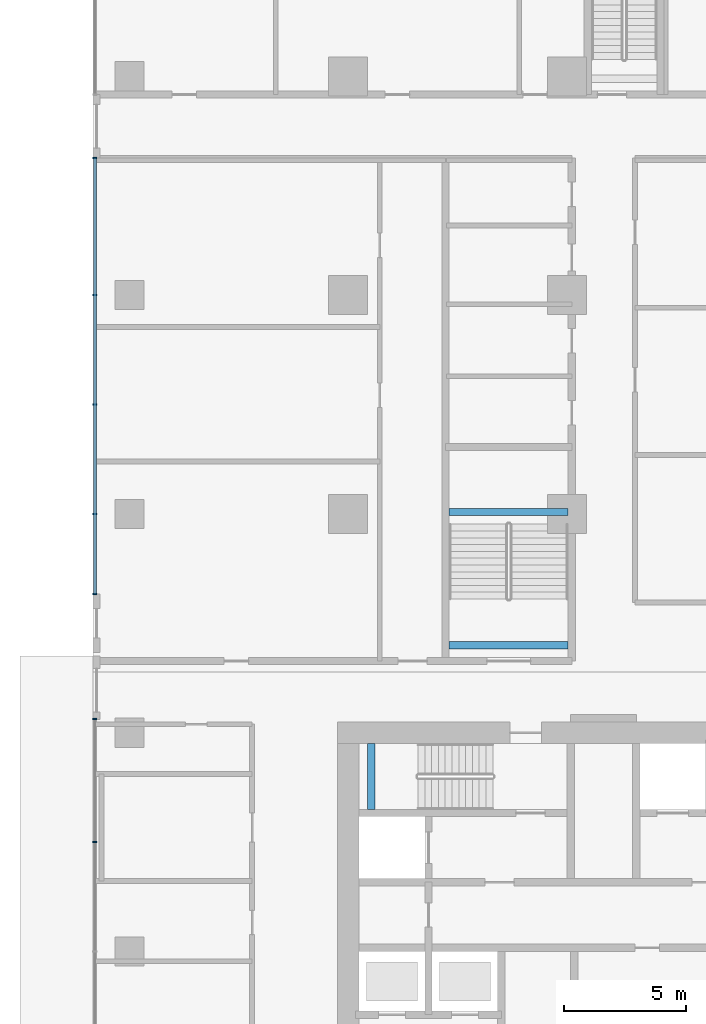
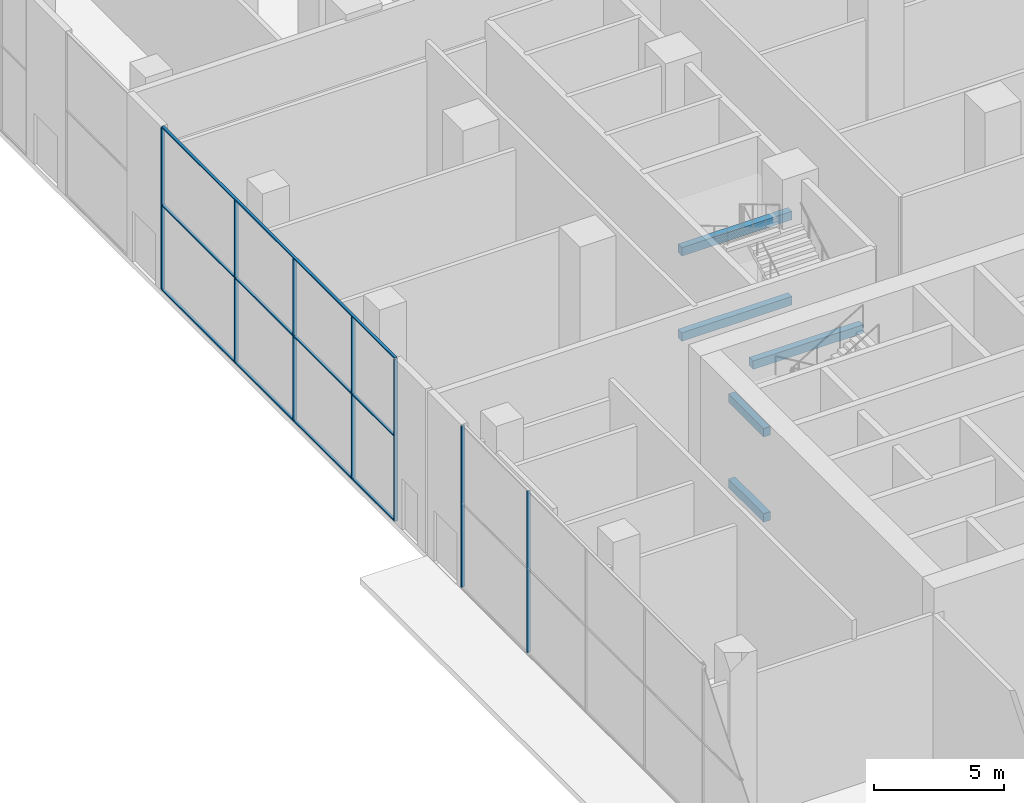
# One storey, part 7 of 54: 10 members, 5 beams, 2 elements without a shape of their own.
"""IFC4 building model written with IfcOpenShell, lengths in metres."""

from ifc_helpers import new_model, si_unit, direction, frame, origin, origin_2d, place, context, subcontext, project, spatial, rectangle, extrude, material, material_profile, profile_set, type_object, element, aggregate, save


model = new_model("IFC4")

# Units and contexts
model_context = context("Model", 3, precision=1e-05, world=origin(), true_north=direction((0.0, 1.0)))
body_context = subcontext(model_context, "Body", "Model", "MODEL_VIEW")
ifc_project = project(units=[si_unit("LENGTHUNIT", "METRE"), si_unit("AREAUNIT", "SQUARE_METRE"), si_unit("VOLUMEUNIT", "CUBIC_METRE"), si_unit("PLANEANGLEUNIT", "RADIAN"), si_unit("MASSUNIT", "GRAM", prefix="KILO")], contexts=[model_context])

# Site, building, storey
site_placement = place(None, origin())
site = spatial("IfcSite", under=ifc_project, at=site_placement, CompositionType="ELEMENT")
building_placement = place(site_placement, origin())
building = spatial("IfcBuilding", under=site, at=building_placement, Name="Ogive Portal Towers", CompositionType="ELEMENT")
storey_placement = place(building_placement, origin())
storey = spatial("IfcBuildingStorey", under=building, at=storey_placement, Name="L00", CompositionType="ELEMENT", Elevation=0.0)

# Beams
ifc_material_1 = material(Name="Concrete C40/50", Category="concrete")
ifc_material_profile_1 = material_profile(ifc_material_1, rectangle(XDim=0.300048828125, YDim=0.39990234375, at=origin_2d()), Name="RC 300x400")
ifc_profile_set_1 = profile_set([ifc_material_profile_1], Name="Concrete C40/50")
beam_type = type_object("IfcBeamType", Name="BEAM RC 300x400", PredefinedType="BEAM", material=ifc_profile_set_1)
for number, where, z_axis, x_axis, name in (
    (1, (32.449951171875, 36.35009765625, 1.60009765625), (0.0, 1.0, 0.0), (-1.0, 0.0, 0.0), "Landing beam L00"),
    (2, (32.449951171875, 36.35009765625, 5.60009765625), (0.0, 1.0, 0.0), (-1.0, 0.0, 0.0), "Landing beam L00"),
):
    element("IfcBeam", number, at=place(storey_placement, frame(where, z_axis=z_axis, x_axis=x_axis)), inside=storey, type_object=beam_type, Name=name, PredefinedType="BEAM", context=body_context, shape_type="SweptSolid", body=[
        extrude(rectangle(XDim=0.300048828125, YDim=0.39990234375, at=origin_2d()), origin(), (0.0, 0.0, 1.0), 2.699951171875),
    ])
for number, where, z_axis, x_axis, name in (
    (3, (35.64990234375, 48.580078125, 1.60009765625), (1.0, 0.0, 0.0), (0.0, 1.0, 0.0), "Landing beam L00"),
    (4, (35.64990234375, 43.10009765625, 3.60009765625), (1.0, 0.0, 0.0), (0.0, 1.0, 0.0), "Landing beam L00"),
    (5, (35.64990234375, 48.580078125, 5.60009765625), (1.0, 0.0, 0.0), (0.0, 1.0, 0.0), "Landing beam L00"),
):
    element("IfcBeam", number, at=place(storey_placement, frame(where, z_axis=z_axis, x_axis=x_axis)), inside=storey, type_object=beam_type, Name=name, PredefinedType="BEAM", context=body_context, shape_type="SweptSolid", body=[
        extrude(rectangle(XDim=0.300048828125, YDim=0.39990234375, at=origin_2d()), origin(), (0.0, 0.0, 1.0), 4.900146484375),
    ])

# Curtain wall, members
ifc_material_2 = material(Name="Glass, clear low-iron insulated glazing", Category="glass")
curtain_wall_type = type_object("IfcCurtainWallType", Name="CW PODIUM SHOPFRONT", PredefinedType="NOTDEFINED", material=ifc_material_2)
curtain_wall_1_placement = place(storey_placement, origin())
curtain_wall_1 = element("IfcCurtainWall", 6, at=curtain_wall_1_placement, inside=storey, type_object=curtain_wall_type, Name="A:L00:f17:cw2", PredefinedType="NOTDEFINED")
ifc_material_3 = material(Name="Aluminium 6063 anodised", Category="aluminium")
ifc_material_profile_2 = material_profile(ifc_material_3, rectangle(XDim=0.159912109375, YDim=0.06005859375, at=origin_2d()), Name="AL 60x160")
ifc_profile_set_2 = profile_set([ifc_material_profile_2], Name="Aluminium 6063 anodised")
member_type_1 = type_object("IfcMemberType", Name="CW MULLION 60x160", PredefinedType="MULLION", material=ifc_profile_set_2)
member_1_placement = place(storey_placement, frame((21.080078125, 63.145751953125, 0.06005859375), z_axis=(0.0, 0.0, 1.0), x_axis=(1.0, 0.0, 0.0)))
member_1 = element("IfcMember", 7, at=member_1_placement, type_object=member_type_1, Name="mullion", PredefinedType="MULLION", context=body_context, shape_type="SweptSolid", body=[
    extrude(rectangle(XDim=0.159912109375, YDim=0.06005859375, at=origin_2d()), origin(), (0.0, 0.0, 1.0), 7.579833984375),
])
member_2_placement = place(storey_placement, frame((21.080078125, 57.5, 0.06005859375), z_axis=(0.0, 0.0, 1.0), x_axis=(1.0, 0.0, 0.0)))
member_2 = element("IfcMember", 8, at=member_2_placement, type_object=member_type_1, Name="mullion", PredefinedType="MULLION", context=body_context, shape_type="SweptSolid", body=[
    extrude(rectangle(XDim=0.159912109375, YDim=0.06005859375, at=origin_2d()), origin(), (0.0, 0.0, 1.0), 7.579833984375),
])
member_3_placement = place(storey_placement, frame((21.080078125, 53.0, 0.06005859375), z_axis=(0.0, 0.0, 1.0), x_axis=(1.0, 0.0, 0.0)))
member_3 = element("IfcMember", 9, at=member_3_placement, type_object=member_type_1, Name="mullion", PredefinedType="MULLION", context=body_context, shape_type="SweptSolid", body=[
    extrude(rectangle(XDim=0.159912109375, YDim=0.06005859375, at=origin_2d()), origin(), (0.0, 0.0, 1.0), 7.579833984375),
])
member_4_placement = place(storey_placement, frame((21.080078125, 48.5, 0.06005859375), z_axis=(0.0, 0.0, 1.0), x_axis=(1.0, 0.0, 0.0)))
member_4 = element("IfcMember", 10, at=member_4_placement, type_object=member_type_1, Name="mullion", PredefinedType="MULLION", context=body_context, shape_type="SweptSolid", body=[
    extrude(rectangle(XDim=0.159912109375, YDim=0.06005859375, at=origin_2d()), origin(), (0.0, 0.0, 1.0), 7.579833984375),
])
member_5_placement = place(storey_placement, frame((21.080078125, 45.204833984375, 0.06005859375), z_axis=(0.0, 0.0, 1.0), x_axis=(1.0, 0.0, 0.0)))
member_5 = element("IfcMember", 11, at=member_5_placement, type_object=member_type_1, Name="mullion", PredefinedType="MULLION", context=body_context, shape_type="SweptSolid", body=[
    extrude(rectangle(XDim=0.159912109375, YDim=0.06005859375, at=origin_2d()), origin(), (0.0, 0.0, 1.0), 7.579833984375),
])

curtain_wall_2_placement = place(storey_placement, origin())
curtain_wall_2 = element("IfcCurtainWall", 12, at=curtain_wall_2_placement, inside=storey, type_object=curtain_wall_type, Name="A:L00:f17:cw3", PredefinedType="NOTDEFINED")
member_6_placement = place(storey_placement, frame((21.080078125, 40.0576171875, 0.06005859375), z_axis=(0.0, 0.0, 1.0), x_axis=(1.0, 0.0, 0.0)))
member_6 = element("IfcMember", 13, at=member_6_placement, type_object=member_type_1, Name="mullion", PredefinedType="MULLION", context=body_context, shape_type="SweptSolid", body=[
    extrude(rectangle(XDim=0.159912109375, YDim=0.06005859375, at=origin_2d()), origin(), (0.0, 0.0, 1.0), 7.579833984375),
])
member_7_placement = place(storey_placement, frame((21.080078125, 35.0, 0.06005859375), z_axis=(0.0, 0.0, 1.0), x_axis=(1.0, 0.0, 0.0)))
member_7 = element("IfcMember", 14, at=member_7_placement, type_object=member_type_1, Name="mullion", PredefinedType="MULLION", context=body_context, shape_type="SweptSolid", body=[
    extrude(rectangle(XDim=0.159912109375, YDim=0.06005859375, at=origin_2d()), origin(), (0.0, 0.0, 1.0), 7.579833984375),
])
aggregate(curtain_wall_2, [member_6, member_7])

# Member
ifc_material_profile_3 = material_profile(ifc_material_3, rectangle(XDim=0.1201171875, YDim=0.06005859375, at=origin_2d()), Name="AL 120x60")
ifc_profile_set_3 = profile_set([ifc_material_profile_3], Name="Aluminium 6063 anodised")
member_type_2 = type_object("IfcMemberType", Name="CW TRANSOM 60x120", PredefinedType="USERDEFINED", material=ifc_profile_set_3)
member_8_placement = place(storey_placement, frame((21.080078125, 63.145751953125, 0.030029296875), z_axis=(0.0, -1.0, 0.0), x_axis=(1.0, 0.0, 0.0)))
member_8 = element("IfcMember", 15, at=member_8_placement, type_object=member_type_2, Name="transom", ObjectType="TRANSOM", PredefinedType="USERDEFINED", context=body_context, shape_type="SweptSolid", body=[
    extrude(rectangle(XDim=0.1201171875, YDim=0.06005859375, at=origin_2d()), origin(), (0.0, 0.0, 1.0), 17.94091796875),
])

member_9_placement = place(storey_placement, frame((21.080078125, 63.145751953125, 4.0), z_axis=(0.0, -1.0, 0.0), x_axis=(1.0, 0.0, 0.0)))
member_9 = element("IfcMember", 16, at=member_9_placement, type_object=member_type_2, Name="transom", ObjectType="TRANSOM", PredefinedType="USERDEFINED", context=body_context, shape_type="SweptSolid", body=[
    extrude(rectangle(XDim=0.1201171875, YDim=0.06005859375, at=origin_2d()), origin(), (0.0, 0.0, 1.0), 17.94091796875),
])

member_10_placement = place(storey_placement, frame((21.080078125, 63.145751953125, 7.669921875), z_axis=(0.0, -1.0, 0.0), x_axis=(1.0, 0.0, 0.0)))
member_10 = element("IfcMember", 17, at=member_10_placement, type_object=member_type_2, Name="transom", ObjectType="TRANSOM", PredefinedType="USERDEFINED", context=body_context, shape_type="SweptSolid", body=[
    extrude(rectangle(XDim=0.1201171875, YDim=0.06005859375, at=origin_2d()), origin(), (0.0, 0.0, 1.0), 17.94091796875),
])

aggregate(curtain_wall_1, [member_8, member_9, member_10, member_1, member_2, member_3, member_4, member_5])

save(model, "model.ifc")
